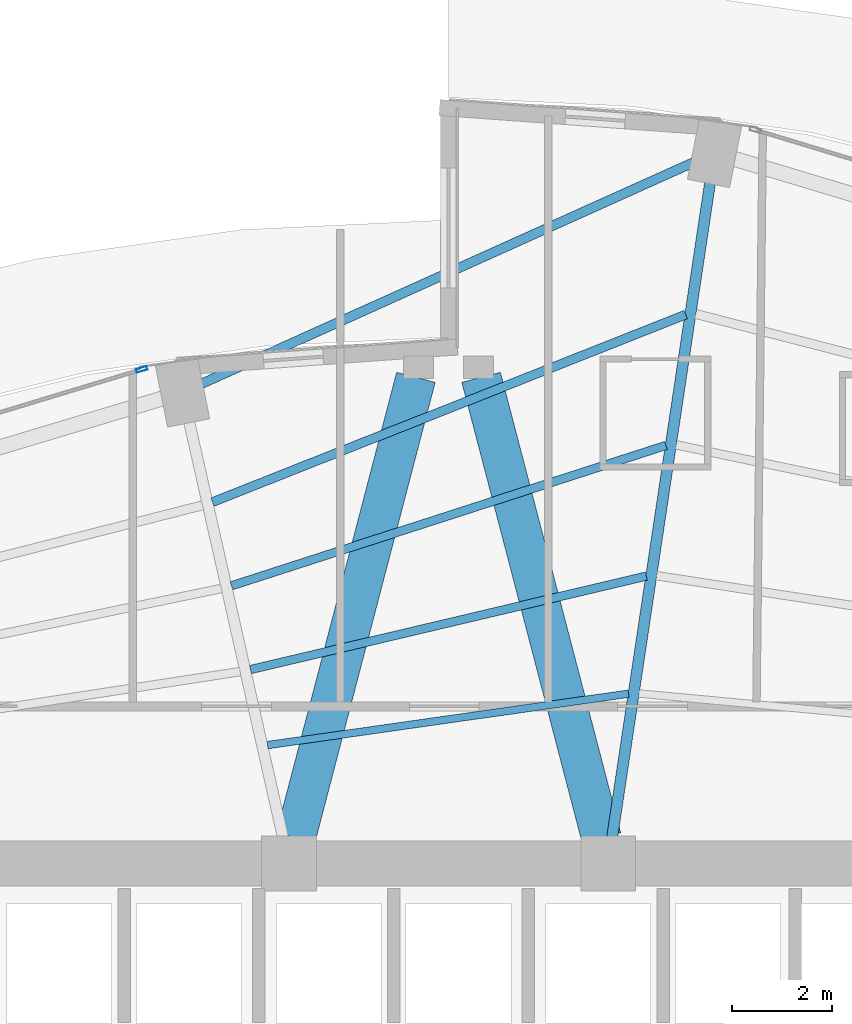
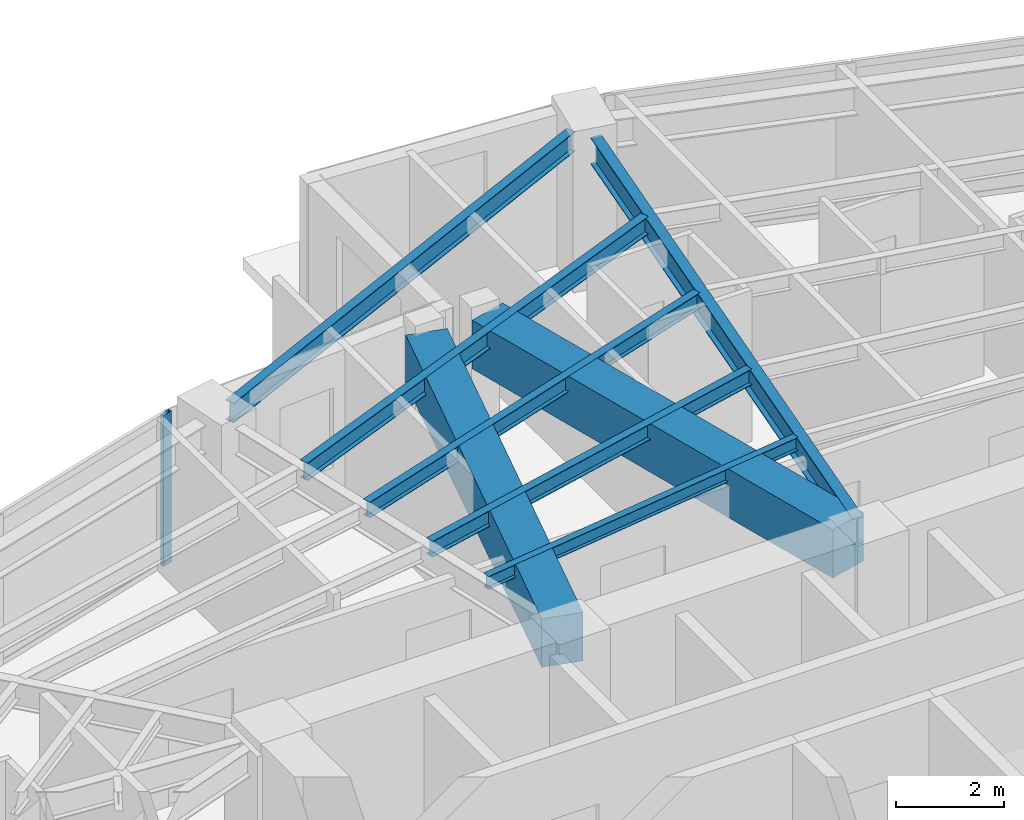
# One storey, part 15 of 25: 8 beams, 1 member, 1 element without a shape of its own.
"""IFC4 building model written with IfcOpenShell, lengths in metres."""

from ifc_helpers import new_model, si_unit, direction, frame, origin, origin_2d, place, context, subcontext, project, spatial, rectangle, hollow_rectangle, i_section, extrude, material, layer, layer_set, material_profile, profile_set, type_object, element, aggregate, save


model = new_model("IFC4")

# Units and contexts
model_context = context("Model", 3, precision=1e-05, world=origin(), true_north=direction((0.0, 1.0)))
body_context = subcontext(model_context, "Body", "Model", "MODEL_VIEW")
ifc_project = project(units=[si_unit("LENGTHUNIT", "METRE"), si_unit("AREAUNIT", "SQUARE_METRE"), si_unit("VOLUMEUNIT", "CUBIC_METRE"), si_unit("PLANEANGLEUNIT", "RADIAN"), si_unit("MASSUNIT", "GRAM", prefix="KILO")], contexts=[model_context])

# Site, building, storey
site_placement = place(None, origin())
site = spatial("IfcSite", under=ifc_project, at=site_placement, CompositionType="ELEMENT")
building_placement = place(site_placement, origin())
building = spatial("IfcBuilding", under=site, at=building_placement, Name="Lazwardi Medical Tower", CompositionType="ELEMENT")
storey_placement = place(building_placement, frame((0.0, 0.0, 25.199951171875)))
storey = spatial("IfcBuildingStorey", under=building, at=storey_placement, Name="L05", CompositionType="ELEMENT", Elevation=25.199951171875)

# Beams
ifc_material_1 = material(Name="Concrete C70/85", Category="concrete")
ifc_material_profile_1 = material_profile(ifc_material_1, rectangle(XDim=0.800048828125, YDim=1.10009765625, at=origin_2d()), Name="RC 800x1100")
ifc_profile_set_1 = profile_set([ifc_material_profile_1], Name="Concrete C70/85")
beam_type_1 = type_object("IfcBeamType", Name="BM-CB-RC1", PredefinedType="LINTEL", material=ifc_profile_set_1)
for number, where, z_axis, x_axis, name in (
    (1, (32.935302734375, 36.11767578125, 2.8779296875), (0.252819877511, 0.967513364009, 0.0), (-0.967513364009, 0.252819877511, 0.0), "Core coupling lintel CB-01 PL1 L05"),
    (2, (39.064697265625, 36.11767578125, 2.8779296875), (-0.252819877511, 0.967513364009, 0.0), (-0.967513364009, -0.252819877511, 0.0), "Core coupling lintel CB-01 PL2 L05"),
):
    element("IfcBeam", number, at=place(storey_placement, frame(where, z_axis=z_axis, x_axis=x_axis)), inside=storey, type_object=beam_type_1, Name=name, PredefinedType="LINTEL", context=body_context, shape_type="SweptSolid", body=[
        extrude(rectangle(XDim=0.800048828125, YDim=1.10009765625, at=origin_2d()), origin(), (0.0, 0.0, 1.0), 9.538818359375),
    ])
ifc_material_2 = material(Name="Steel S355", Category="steel")
ifc_material_profile_2 = material_profile(ifc_material_2, i_section(OverallWidth=0.219970703125, OverallDepth=0.60009765625, WebThickness=0.011962890625, FlangeThickness=0.01904296875, at=origin_2d()), Name="IPE 600")
ifc_profile_set_2 = profile_set([ifc_material_profile_2], Name="Steel S355")
beam_type_2 = type_object("IfcBeamType", Name="BM-RG-W1", PredefinedType="BEAM", material=ifc_profile_set_2)
beam_1_placement = place(storey_placement, frame((41.2451171875, 49.2705078125, 3.1279296875), z_axis=(-0.147944218183, -0.98899570692, 0.0), x_axis=(0.98899570692, -0.147944218183, 0.0)))
element("IfcBeam", 3, at=beam_1_placement, inside=storey, type_object=beam_type_2, Name="Radial girder RG-02 R08 L05", PredefinedType="BEAM", context=body_context, shape_type="SweptSolid", body=[
    extrude(i_section(OverallWidth=0.219970703125, OverallDepth=0.60009765625, WebThickness=0.011962890625, FlangeThickness=0.01904296875, at=origin_2d()), origin(), (0.0, 0.0, 1.0), 13.28759765625),
])
ifc_material_profile_3 = material_profile(ifc_material_2, i_section(OverallWidth=0.179931640625, OverallDepth=0.39990234375, WebThickness=0.008544921875, FlangeThickness=0.013427734375, at=origin_2d()), Name="IPE 400")
ifc_profile_set_3 = profile_set([ifc_material_profile_3], Name="Steel S355")
beam_type_3 = type_object("IfcBeamType", Name="BM-SJ-01", PredefinedType="JOIST", material=ifc_profile_set_3)
beam_2_placement = place(storey_placement, frame((40.754150390625, 46.603515625, 3.22802734375), z_axis=(-0.929663713752, -0.368409255222, 0.0), x_axis=(0.368409255222, -0.929663713752, 0.0)))
element("IfcBeam", 4, at=beam_2_placement, inside=storey, type_object=beam_type_3, Name="Secondary joist SJ-01 R1 B08 L05", PredefinedType="JOIST", context=body_context, shape_type="SweptSolid", body=[
    extrude(i_section(OverallWidth=0.179931640625, OverallDepth=0.39990234375, WebThickness=0.008544921875, FlangeThickness=0.013427734375, at=origin_2d()), origin(), (0.0, 0.0, 1.0), 10.2001953125),
])
ifc_material_profile_4 = material_profile(ifc_material_2, i_section(OverallWidth=0.169921875, OverallDepth=0.360107421875, WebThickness=0.008056640625, FlangeThickness=0.0126953125, at=origin_2d()), Name="IPE 360")
ifc_profile_set_4 = profile_set([ifc_material_profile_4], Name="Steel S355")
beam_type_4 = type_object("IfcBeamType", Name="BM-SJ-02", PredefinedType="JOIST", material=ifc_profile_set_4)
beam_3_placement = place(storey_placement, frame((40.35888671875, 43.981689453125, 3.248046875), z_axis=(-0.951558895485, -0.307466532199, 0.0), x_axis=(0.307466532199, -0.951558895485, 0.0)))
element("IfcBeam", 5, at=beam_3_placement, inside=storey, type_object=beam_type_4, Name="Secondary joist SJ-02 R2 B08 L05", PredefinedType="JOIST", context=body_context, shape_type="SweptSolid", body=[
    extrude(i_section(OverallWidth=0.169921875, OverallDepth=0.360107421875, WebThickness=0.008056640625, FlangeThickness=0.0126953125, at=origin_2d()), origin(), (0.0, 0.0, 1.0), 9.1513671875),
])
beam_4_placement = place(storey_placement, frame((39.96337890625, 41.361572265625, 3.248046875), z_axis=(-0.973240904247, -0.229787167397, 0.0), x_axis=(0.229787167397, -0.973240904247, 0.0)))
element("IfcBeam", 6, at=beam_4_placement, inside=storey, type_object=beam_type_4, Name="Secondary joist SJ-02 R3 B08 L05", PredefinedType="JOIST", context=body_context, shape_type="SweptSolid", body=[
    extrude(i_section(OverallWidth=0.169921875, OverallDepth=0.360107421875, WebThickness=0.008056640625, FlangeThickness=0.0126953125, at=origin_2d()), origin(), (0.0, 0.0, 1.0), 8.151123046875),
])
ifc_material_profile_5 = material_profile(ifc_material_2, i_section(OverallWidth=0.14990234375, OverallDepth=0.300048828125, WebThickness=0.007080078125, FlangeThickness=0.0107421875, at=origin_2d()), Name="IPE 300")
ifc_profile_set_5 = profile_set([ifc_material_profile_5], Name="Steel S355")
beam_type_5 = type_object("IfcBeamType", Name="BM-SJ-03", PredefinedType="JOIST", material=ifc_profile_set_5)
beam_5_placement = place(storey_placement, frame((39.607666015625, 39.00537109375, 3.278076171875), z_axis=(-0.99001552228, -0.140958382672, 0.0), x_axis=(0.140958382672, -0.99001552228, 0.0)))
element("IfcBeam", 7, at=beam_5_placement, inside=storey, type_object=beam_type_5, Name="Secondary joist SJ-03 R4 B08 L05", PredefinedType="JOIST", context=body_context, shape_type="SweptSolid", body=[
    extrude(i_section(OverallWidth=0.14990234375, OverallDepth=0.300048828125, WebThickness=0.007080078125, FlangeThickness=0.0107421875, at=origin_2d()), origin(), (0.0, 0.0, 1.0), 7.30908203125),
])
ifc_material_profile_6 = material_profile(ifc_material_2, i_section(OverallWidth=0.18994140625, OverallDepth=0.449951171875, WebThickness=0.009521484375, FlangeThickness=0.0146484375, at=origin_2d()), Name="IPE 450")
ifc_profile_set_6 = profile_set([ifc_material_profile_6], Name="Steel S355")
beam_type_6 = type_object("IfcBeamType", Name="BM-SP-01", PredefinedType="SPANDREL", material=ifc_profile_set_6)
beam_6_placement = place(storey_placement, frame((40.94775390625, 49.671630859375, 3.203125), z_axis=(-0.91184908894, -0.410525564368, 0.0), x_axis=(0.410525564368, -0.91184908894, 0.0)))
element("IfcBeam", 8, at=beam_6_placement, inside=storey, type_object=beam_type_6, Name="Spandrel beam SP-01 B08 L05", PredefinedType="SPANDREL", context=body_context, shape_type="SweptSolid", body=[
    extrude(i_section(OverallWidth=0.18994140625, OverallDepth=0.449951171875, WebThickness=0.009521484375, FlangeThickness=0.0146484375, at=origin_2d()), origin(), (0.0, 0.0, 1.0), 10.85205078125),
])

# Curtain wall, member
ifc_material_3 = material(Name="Anodised bronze aluminium and solar control glazing", Category="aluminium")
ifc_layer = layer(ifc_material_3, 0.199951171875)
ifc_layer_set = layer_set([ifc_layer], Name="Anodised bronze aluminium and solar control glazing")
curtain_wall_type = type_object("IfcCurtainWallType", Name="CW-SYS-02", PredefinedType="NOTDEFINED", material=ifc_layer_set)
curtain_wall_placement = place(storey_placement, origin())
curtain_wall = element("IfcCurtainWall", 9, at=curtain_wall_placement, inside=storey, type_object=curtain_wall_type, Name="L05 Unitised bronze curtain wall CW-02", PredefinedType="NOTDEFINED")
ifc_material_4 = material(Name="Anodised bronze aluminium", Category="aluminium")
ifc_material_profile_7 = material_profile(ifc_material_4, hollow_rectangle(XDim=0.074951171875, YDim=0.219970703125, WallThickness=0.00390625, at=origin_2d()), Name="ALU-MULLION 220x75x4")
ifc_profile_set_7 = profile_set([ifc_material_profile_7], Name="Anodised bronze aluminium")
member_type = type_object("IfcMemberType", Name="CW-MUL-01", PredefinedType="MULLION", material=ifc_profile_set_7)
member_placement = place(storey_placement, frame((29.85205078125, 45.503662109375, 0.0), z_axis=(0.0, 0.0, 1.0), x_axis=(0.2898956909, -0.957058247129, 0.0)))
member = element("IfcMember", 10, at=member_placement, type_object=member_type, Name="CW-02 mullion 1", PredefinedType="MULLION", context=body_context, shape_type="SweptSolid", body=[
    extrude(hollow_rectangle(XDim=0.074951171875, YDim=0.219970703125, WallThickness=0.00390625, at=origin_2d()), origin(), (0.0, 0.0, 1.0), 3.427978515625),
])
aggregate(curtain_wall, [member])

save(model, "model.ifc")
